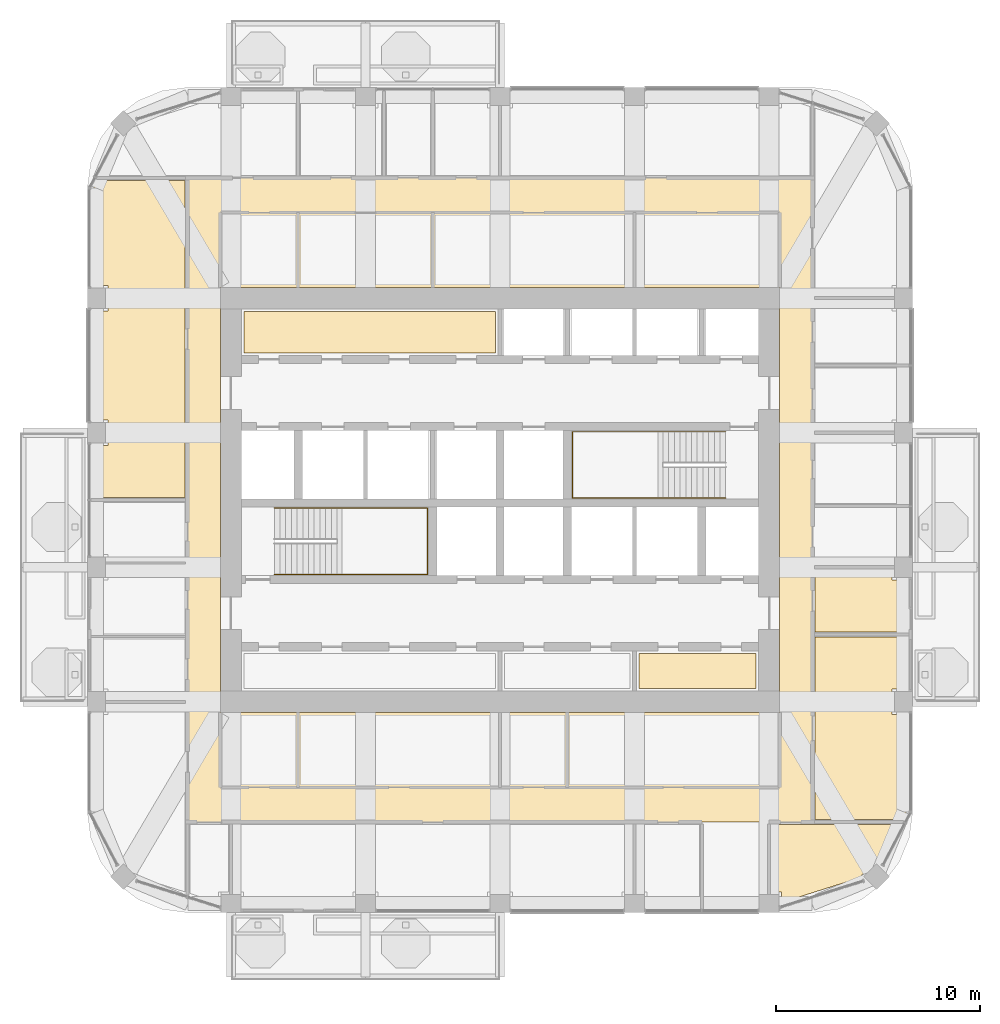
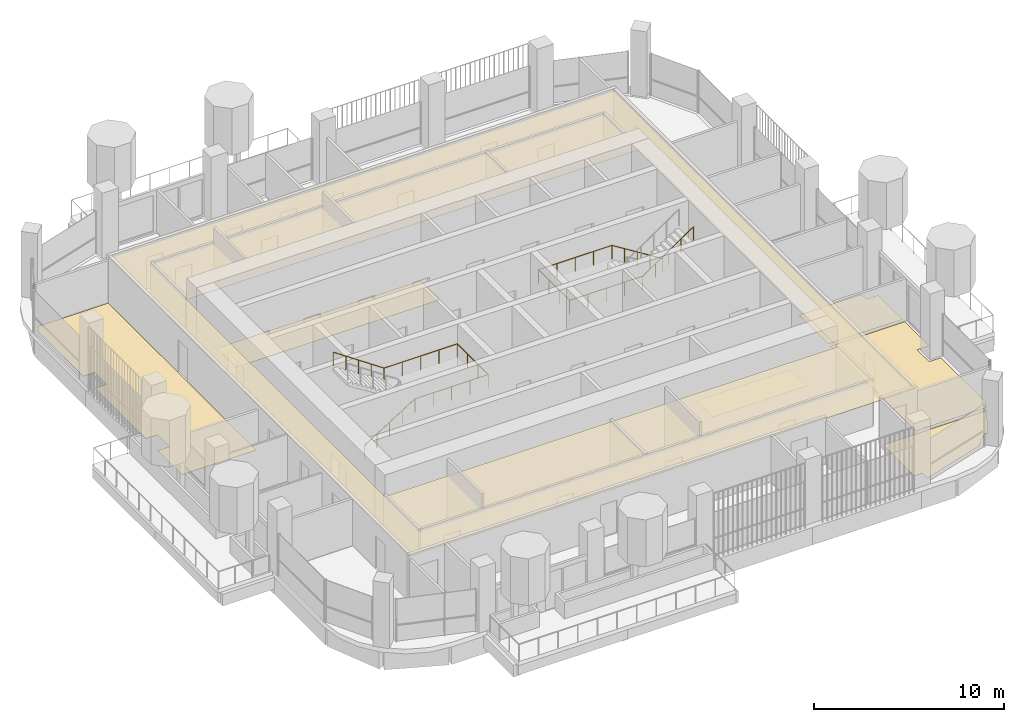
# One storey, part 17 of 20: 7 coverings, 2 railings.
"""IFC4 building model written with IfcOpenShell, lengths in metres."""

from ifc_helpers import new_model, si_unit, direction, frame, origin, place, context, subcontext, project, spatial, polyline, outline, extrude, material, layer, layer_set, type_object, element, save


model = new_model("IFC4")

# Units and contexts
model_context = context("Model", 3, precision=1e-05, world=origin(), true_north=direction((0.0, 1.0)))
body_context = subcontext(model_context, "Body", "Model", "MODEL_VIEW")
ifc_project = project(units=[si_unit("LENGTHUNIT", "METRE"), si_unit("AREAUNIT", "SQUARE_METRE"), si_unit("VOLUMEUNIT", "CUBIC_METRE"), si_unit("PLANEANGLEUNIT", "RADIAN"), si_unit("MASSUNIT", "GRAM", prefix="KILO")], contexts=[model_context])

# Site, building, storey
site_placement = place(None, origin())
site = spatial("IfcSite", under=ifc_project, at=site_placement, CompositionType="ELEMENT")
building_placement = place(site_placement, origin())
building = spatial("IfcBuilding", under=site, at=building_placement, Name="Cobogo Forest Laboratory Tower", CompositionType="ELEMENT")
storey_placement = place(building_placement, frame((0.0, 0.0, 279.60009765625)))
storey = spatial("IfcBuildingStorey", under=building, at=storey_placement, Name="L64", CompositionType="ELEMENT", Elevation=279.60009765625)

# Coverings
ifc_material_1 = material(Name="Mineral fibre ceiling tile", Category="ceiling")
ifc_layer_1 = layer(ifc_material_1, 0.02001953125)
ifc_layer_set_1 = layer_set([ifc_layer_1], Name="CL1 suspended ceiling")
covering_type_1 = type_object("IfcCoveringType", Name="CL1 suspended ceiling", PredefinedType="CEILING", material=ifc_layer_set_1)
covering_1_placement = place(storey_placement, frame((0.0, 0.0, 2.7998046875)))
element("IfcCovering", 1, at=covering_1_placement, inside=storey, type_object=covering_type_1, Name="Corridor ceiling L64", PredefinedType="CEILING", context=body_context, shape_type="SweptSolid", body=[
    extrude(outline(polyline([(11.074951171875, 7.300048828125), (11.074951171875, 38.89990234375), (41.72509765625, 38.89990234375), (41.72509765625, 7.300048828125), (11.074951171875, 7.300048828125)]), holes=[polyline([(40.125, 33.52490234375), (12.675048828125, 33.52490234375), (12.675048828125, 12.675048828125), (40.125, 12.675048828125), (40.125, 33.52490234375)])]), origin(), (0.0, 0.0, 1.0), 0.02001953125),
])
ifc_material_2 = material(Name="Carpet tile on raised access floor", Category="flooring")
ifc_layer_2 = layer(ifc_material_2, 0.008056640625)
ifc_layer_set_2 = layer_set([ifc_layer_2], Name="CT1 carpet tile floor 8")
covering_type_2 = type_object("IfcCoveringType", Name="CT1 carpet tile floor 8", PredefinedType="FLOORING", material=ifc_layer_set_2)
covering_2_placement = place(storey_placement, origin())
element("IfcCovering", 2, at=covering_2_placement, inside=storey, type_object=covering_type_2, Name="Carpet floor L64-12", PredefinedType="FLOORING", context=body_context, shape_type="SweptSolid", body=[
    extrude(outline(polyline([(44.10986328125, 4.583984375), (40.219970703125, 3.35546875), (40.219970703125, 3.8701171875), (39.719970703125, 3.8701171875), (39.719970703125, 7.179931640625), (45.999267578125, 7.179931640625), (45.010986328125, 5.294921875), (44.882080078125, 5.424072265625), (44.075927734375, 4.617919921875), (44.10986328125, 4.583984375)])), origin(), (0.0, 0.0, 1.0), 0.0078125),
])
covering_3_placement = place(storey_placement, origin())
element("IfcCovering", 3, at=covering_3_placement, inside=storey, type_object=covering_type_2, Name="Carpet floor L64-14", PredefinedType="FLOORING", context=body_context, shape_type="SweptSolid", body=[
    extrude(outline(polyline([(41.844970703125, 19.679931640625), (45.6298828125, 19.679931640625), (45.6298828125, 19.179931640625), (46.35009765625, 19.179931640625), (46.35009765625, 16.6201171875), (41.844970703125, 16.6201171875), (41.844970703125, 19.679931640625)])), origin(), (0.0, 0.0, 1.0), 0.0078125),
])
covering_4_placement = place(storey_placement, origin())
element("IfcCovering", 4, at=covering_4_placement, inside=storey, type_object=covering_type_2, Name="Carpet floor L64-29", PredefinedType="FLOORING", context=body_context, shape_type="SweptSolid", body=[
    extrude(outline(polyline([(10.955078125, 23.219970703125), (6.449951171875, 23.219970703125), (6.449951171875, 25.780029296875), (7.169921875, 25.780029296875), (7.169921875, 27.02001953125), (6.449951171875, 27.02001953125), (6.449951171875, 32.3798828125), (7.169921875, 32.3798828125), (7.169921875, 33.6201171875), (6.449951171875, 33.6201171875), (6.449951171875, 38.350830078125), (6.675048828125, 38.780029296875), (10.955078125, 38.780029296875), (10.955078125, 23.219970703125)])), origin(), (0.0, 0.0, 1.0), 0.0078125),
])
covering_5_placement = place(storey_placement, origin())
element("IfcCovering", 5, at=covering_5_placement, inside=storey, type_object=covering_type_2, Name="Carpet floor L64-39", PredefinedType="FLOORING", context=body_context, shape_type="SweptSolid", body=[
    extrude(outline(polyline([(38.955078125, 13.844970703125), (33.219970703125, 13.844970703125), (33.219970703125, 15.580078125), (38.955078125, 15.580078125), (38.955078125, 13.844970703125)])), origin(), (0.0, 0.0, 1.0), 0.0078125),
])
covering_6_placement = place(storey_placement, origin())
element("IfcCovering", 6, at=covering_6_placement, inside=storey, type_object=covering_type_2, Name="Carpet floor L64-40", PredefinedType="FLOORING", context=body_context, shape_type="SweptSolid", body=[
    extrude(outline(polyline([(26.179931640625, 30.320068359375), (13.844970703125, 30.320068359375), (13.844970703125, 32.35498046875), (26.179931640625, 32.35498046875), (26.179931640625, 30.320068359375)])), origin(), (0.0, 0.0, 1.0), 0.0078125),
])

# Railings
ifc_material_3 = material(Name="Stainless steel handrail", Category="steel")
railing_type = type_object("IfcRailingType", Name="HR handrail 900", PredefinedType="HANDRAIL", material=ifc_material_3)
railing_1_placement = place(storey_placement, frame((15.324951171875, 19.449951171875, 0.1748046875)))
element("IfcRailing", 7, at=railing_1_placement, inside=storey, type_object=railing_type, Name="Stair handrail ST1 L64", PredefinedType="HANDRAIL", context=body_context, shape_type="SweptSolid", body=[
    extrude(outline(polyline([(0.022216796875, 0.00927734375), (0.00927734375, 0.022216796875), (-0.00927734375, 0.022216796875), (-0.022216796875, 0.00927734375), (-0.022216796875, -0.00927734375), (-0.00927734375, -0.022216796875), (0.00927734375, -0.022216796875), (0.022216796875, -0.00927734375), (0.022216796875, 0.00927734375)])), frame((0.0, 0.0, 0.877685546875), z_axis=(0.847998304005, 0.0, 0.529998940003), x_axis=(0.0, 1.0, 0.0)), (0.0, 0.0, 1.0), 3.632080078125),
    extrude(outline(polyline([(0.022216796875, 0.00927734375), (0.00927734375, 0.022216796875), (-0.00927734375, 0.022216796875), (-0.022216796875, 0.00927734375), (-0.022216796875, -0.00927734375), (-0.00927734375, -0.022216796875), (0.00927734375, -0.022216796875), (0.022216796875, -0.00927734375), (0.022216796875, 0.00927734375)])), frame((3.080078125, 0.0, 2.802734375), z_axis=(1.0, 0.0, 0.0), x_axis=(0.0, 1.0, 0.0)), (0.0, 0.0, 1.0), 4.445068359375),
    extrude(outline(polyline([(0.022216796875, 0.00927734375), (0.00927734375, 0.022216796875), (-0.00927734375, 0.022216796875), (-0.022216796875, 0.00927734375), (-0.022216796875, -0.00927734375), (-0.00927734375, -0.022216796875), (0.00927734375, -0.022216796875), (0.022216796875, -0.00927734375), (0.022216796875, 0.00927734375)])), frame((7.525146484375, 0.0, 2.802734375), z_axis=(0.0, 1.0, 0.0), x_axis=(-1.0, 0.0, 0.0)), (0.0, 0.0, 1.0), 3.25),
    extrude(outline(polyline([(0.022216796875, 0.00927734375), (0.00927734375, 0.022216796875), (-0.00927734375, 0.022216796875), (-0.022216796875, 0.00927734375), (-0.022216796875, -0.00927734375), (-0.00927734375, -0.022216796875), (0.00927734375, -0.022216796875), (0.022216796875, -0.00927734375), (0.022216796875, 0.00927734375)])), frame((7.525146484375, 3.25, 2.802734375), z_axis=(-1.0, 0.0, 0.0), x_axis=(0.0, -1.0, 0.0)), (0.0, 0.0, 1.0), 4.445068359375),
    extrude(outline(polyline([(0.022216796875, 0.00927734375), (0.00927734375, 0.022216796875), (-0.00927734375, 0.022216796875), (-0.022216796875, 0.00927734375), (-0.022216796875, -0.00927734375), (-0.00927734375, -0.022216796875), (0.00927734375, -0.022216796875), (0.022216796875, -0.00927734375), (0.022216796875, 0.00927734375)])), frame((3.080078125, 3.25, 2.802734375), z_axis=(-0.826221800596, 0.0, 0.563344953133), x_axis=(0.0, -1.0, 0.0)), (0.0, 0.0, 1.0), 3.72802734375),
    extrude(outline(polyline([(0.019287109375, 0.008056640625), (0.008056640625, 0.019287109375), (-0.008056640625, 0.019287109375), (-0.019287109375, 0.008056640625), (-0.019287109375, -0.008056640625), (-0.008056640625, -0.019287109375), (0.008056640625, -0.019287109375), (0.019287109375, -0.008056640625), (0.019287109375, 0.008056640625)])), origin(), (0.0, 0.0, 1.0), 0.877685546875),
    extrude(outline(polyline([(0.019287109375, 0.008056640625), (0.008056640625, 0.019287109375), (-0.008056640625, 0.019287109375), (-0.019287109375, 0.008056640625), (-0.019287109375, -0.008056640625), (-0.008056640625, -0.019287109375), (0.008056640625, -0.019287109375), (0.019287109375, -0.008056640625), (0.019287109375, 0.008056640625)])), frame((0.77001953125, 0.0, 0.481201171875)), (0.0, 0.0, 1.0), 0.877685546875),
    extrude(outline(polyline([(0.019287109375, 0.008056640625), (0.008056640625, 0.019287109375), (-0.008056640625, 0.019287109375), (-0.019287109375, 0.008056640625), (-0.019287109375, -0.008056640625), (-0.008056640625, -0.019287109375), (0.008056640625, -0.019287109375), (0.019287109375, -0.008056640625), (0.019287109375, 0.008056640625)])), frame((1.5400390625, 0.0, 0.96240234375)), (0.0, 0.0, 1.0), 0.877685546875),
    extrude(outline(polyline([(0.019287109375, 0.008056640625), (0.008056640625, 0.019287109375), (-0.008056640625, 0.019287109375), (-0.019287109375, 0.008056640625), (-0.019287109375, -0.008056640625), (-0.008056640625, -0.019287109375), (0.008056640625, -0.019287109375), (0.019287109375, -0.008056640625), (0.019287109375, 0.008056640625)])), frame((2.31005859375, 0.0, 1.44384765625)), (0.0, 0.0, 1.0), 0.877685546875),
    extrude(outline(polyline([(0.019287109375, 0.008056640625), (0.008056640625, 0.019287109375), (-0.008056640625, 0.019287109375), (-0.019287109375, 0.008056640625), (-0.019287109375, -0.008056640625), (-0.008056640625, -0.019287109375), (0.008056640625, -0.019287109375), (0.019287109375, -0.008056640625), (0.019287109375, 0.008056640625)])), frame((3.080078125, 0.0, 1.925048828125)), (0.0, 0.0, 1.0), 0.877685546875),
    extrude(outline(polyline([(0.019287109375, 0.008056640625), (0.008056640625, 0.019287109375), (-0.008056640625, 0.019287109375), (-0.019287109375, 0.008056640625), (-0.019287109375, -0.008056640625), (-0.008056640625, -0.019287109375), (0.008056640625, -0.019287109375), (0.019287109375, -0.008056640625), (0.019287109375, 0.008056640625)])), frame((4.19140625, 0.0, 1.925048828125)), (0.0, 0.0, 1.0), 0.877685546875),
    extrude(outline(polyline([(0.019287109375, 0.008056640625), (0.008056640625, 0.019287109375), (-0.008056640625, 0.019287109375), (-0.019287109375, 0.008056640625), (-0.019287109375, -0.008056640625), (-0.008056640625, -0.019287109375), (0.008056640625, -0.019287109375), (0.019287109375, -0.008056640625), (0.019287109375, 0.008056640625)])), frame((5.302734375, 0.0, 1.925048828125)), (0.0, 0.0, 1.0), 0.877685546875),
    extrude(outline(polyline([(0.019287109375, 0.008056640625), (0.008056640625, 0.019287109375), (-0.008056640625, 0.019287109375), (-0.019287109375, 0.008056640625), (-0.019287109375, -0.008056640625), (-0.008056640625, -0.019287109375), (0.008056640625, -0.019287109375), (0.019287109375, -0.008056640625), (0.019287109375, 0.008056640625)])), frame((6.413818359375, 0.0, 1.925048828125)), (0.0, 0.0, 1.0), 0.877685546875),
    extrude(outline(polyline([(0.019287109375, 0.008056640625), (0.008056640625, 0.019287109375), (-0.008056640625, 0.019287109375), (-0.019287109375, 0.008056640625), (-0.019287109375, -0.008056640625), (-0.008056640625, -0.019287109375), (0.008056640625, -0.019287109375), (0.019287109375, -0.008056640625), (0.019287109375, 0.008056640625)])), frame((7.525146484375, 0.0, 1.925048828125)), (0.0, 0.0, 1.0), 0.877685546875),
    extrude(outline(polyline([(0.019287109375, 0.008056640625), (0.008056640625, 0.019287109375), (-0.008056640625, 0.019287109375), (-0.019287109375, 0.008056640625), (-0.019287109375, -0.008056640625), (-0.008056640625, -0.019287109375), (0.008056640625, -0.019287109375), (0.019287109375, -0.008056640625), (0.019287109375, 0.008056640625)])), frame((7.525146484375, 1.083251953125, 1.925048828125)), (0.0, 0.0, 1.0), 0.877685546875),
    extrude(outline(polyline([(0.019287109375, 0.008056640625), (0.008056640625, 0.019287109375), (-0.008056640625, 0.019287109375), (-0.019287109375, 0.008056640625), (-0.019287109375, -0.008056640625), (-0.008056640625, -0.019287109375), (0.008056640625, -0.019287109375), (0.019287109375, -0.008056640625), (0.019287109375, 0.008056640625)])), frame((7.525146484375, 2.166748046875, 1.925048828125)), (0.0, 0.0, 1.0), 0.877685546875),
    extrude(outline(polyline([(0.019287109375, 0.008056640625), (0.008056640625, 0.019287109375), (-0.008056640625, 0.019287109375), (-0.019287109375, 0.008056640625), (-0.019287109375, -0.008056640625), (-0.008056640625, -0.019287109375), (0.008056640625, -0.019287109375), (0.019287109375, -0.008056640625), (0.019287109375, 0.008056640625)])), frame((7.525146484375, 3.25, 1.925048828125)), (0.0, 0.0, 1.0), 0.877685546875),
    extrude(outline(polyline([(0.019287109375, 0.008056640625), (0.008056640625, 0.019287109375), (-0.008056640625, 0.019287109375), (-0.019287109375, 0.008056640625), (-0.019287109375, -0.008056640625), (-0.008056640625, -0.019287109375), (0.008056640625, -0.019287109375), (0.019287109375, -0.008056640625), (0.019287109375, 0.008056640625)])), frame((6.413818359375, 3.25, 1.925048828125)), (0.0, 0.0, 1.0), 0.877685546875),
    extrude(outline(polyline([(0.019287109375, 0.008056640625), (0.008056640625, 0.019287109375), (-0.008056640625, 0.019287109375), (-0.019287109375, 0.008056640625), (-0.019287109375, -0.008056640625), (-0.008056640625, -0.019287109375), (0.008056640625, -0.019287109375), (0.019287109375, -0.008056640625), (0.019287109375, 0.008056640625)])), frame((5.302734375, 3.25, 1.925048828125)), (0.0, 0.0, 1.0), 0.877685546875),
    extrude(outline(polyline([(0.019287109375, 0.008056640625), (0.008056640625, 0.019287109375), (-0.008056640625, 0.019287109375), (-0.019287109375, 0.008056640625), (-0.019287109375, -0.008056640625), (-0.008056640625, -0.019287109375), (0.008056640625, -0.019287109375), (0.019287109375, -0.008056640625), (0.019287109375, 0.008056640625)])), frame((4.19140625, 3.25, 1.925048828125)), (0.0, 0.0, 1.0), 0.877685546875),
    extrude(outline(polyline([(0.019287109375, 0.008056640625), (0.008056640625, 0.019287109375), (-0.008056640625, 0.019287109375), (-0.019287109375, 0.008056640625), (-0.019287109375, -0.008056640625), (-0.008056640625, -0.019287109375), (0.008056640625, -0.019287109375), (0.019287109375, -0.008056640625), (0.019287109375, 0.008056640625)])), frame((3.080078125, 3.25, 1.925048828125)), (0.0, 0.0, 1.0), 0.877685546875),
    extrude(outline(polyline([(0.019287109375, 0.008056640625), (0.008056640625, 0.019287109375), (-0.008056640625, 0.019287109375), (-0.019287109375, 0.008056640625), (-0.019287109375, -0.008056640625), (-0.008056640625, -0.019287109375), (0.008056640625, -0.019287109375), (0.019287109375, -0.008056640625), (0.019287109375, 0.008056640625)])), frame((2.31005859375, 3.25, 2.4501953125)), (0.0, 0.0, 1.0), 0.877685546875),
    extrude(outline(polyline([(0.019287109375, 0.008056640625), (0.008056640625, 0.019287109375), (-0.008056640625, 0.019287109375), (-0.019287109375, 0.008056640625), (-0.019287109375, -0.008056640625), (-0.008056640625, -0.019287109375), (0.008056640625, -0.019287109375), (0.019287109375, -0.008056640625), (0.019287109375, 0.008056640625)])), frame((1.5400390625, 3.25, 2.97509765625)), (0.0, 0.0, 1.0), 0.877685546875),
    extrude(outline(polyline([(0.019287109375, 0.008056640625), (0.008056640625, 0.019287109375), (-0.008056640625, 0.019287109375), (-0.019287109375, 0.008056640625), (-0.019287109375, -0.008056640625), (-0.008056640625, -0.019287109375), (0.008056640625, -0.019287109375), (0.019287109375, -0.008056640625), (0.019287109375, 0.008056640625)])), frame((0.77001953125, 3.25, 3.5)), (0.0, 0.0, 1.0), 0.877685546875),
    extrude(outline(polyline([(0.019287109375, 0.008056640625), (0.008056640625, 0.019287109375), (-0.008056640625, 0.019287109375), (-0.019287109375, 0.008056640625), (-0.019287109375, -0.008056640625), (-0.008056640625, -0.019287109375), (0.008056640625, -0.019287109375), (0.019287109375, -0.008056640625), (0.019287109375, 0.008056640625)])), frame((0.0, 3.25, 4.025146484375)), (0.0, 0.0, 1.0), 0.877685546875),
])
railing_2_placement = place(storey_placement, frame((37.47509765625, 26.449951171875, 0.1748046875)))
element("IfcRailing", 8, at=railing_2_placement, inside=storey, type_object=railing_type, Name="Stair handrail ST2 L64", PredefinedType="HANDRAIL", context=body_context, shape_type="SweptSolid", body=[
    extrude(outline(polyline([(0.022216796875, 0.00927734375), (0.00927734375, 0.022216796875), (-0.00927734375, 0.022216796875), (-0.022216796875, 0.00927734375), (-0.022216796875, -0.00927734375), (-0.00927734375, -0.022216796875), (0.00927734375, -0.022216796875), (0.022216796875, -0.00927734375), (0.022216796875, 0.00927734375)])), frame((0.0, 0.0, 0.877685546875), z_axis=(-0.847998304005, 0.0, 0.529998940003), x_axis=(0.0, -1.0, 0.0)), (0.0, 0.0, 1.0), 3.632080078125),
    extrude(outline(polyline([(0.022216796875, 0.00927734375), (0.00927734375, 0.022216796875), (-0.00927734375, 0.022216796875), (-0.022216796875, 0.00927734375), (-0.022216796875, -0.00927734375), (-0.00927734375, -0.022216796875), (0.00927734375, -0.022216796875), (0.022216796875, -0.00927734375), (0.022216796875, 0.00927734375)])), frame((-3.080078125, 0.0, 2.802734375), z_axis=(-1.0, 0.0, 0.0), x_axis=(0.0, -1.0, 0.0)), (0.0, 0.0, 1.0), 4.445068359375),
    extrude(outline(polyline([(0.022216796875, 0.00927734375), (0.00927734375, 0.022216796875), (-0.00927734375, 0.022216796875), (-0.022216796875, 0.00927734375), (-0.022216796875, -0.00927734375), (-0.00927734375, -0.022216796875), (0.00927734375, -0.022216796875), (0.022216796875, -0.00927734375), (0.022216796875, 0.00927734375)])), frame((-7.525146484375, 0.0, 2.802734375), z_axis=(0.0, -1.0, 0.0), x_axis=(1.0, 0.0, 0.0)), (0.0, 0.0, 1.0), 3.25),
    extrude(outline(polyline([(0.022216796875, 0.00927734375), (0.00927734375, 0.022216796875), (-0.00927734375, 0.022216796875), (-0.022216796875, 0.00927734375), (-0.022216796875, -0.00927734375), (-0.00927734375, -0.022216796875), (0.00927734375, -0.022216796875), (0.022216796875, -0.00927734375), (0.022216796875, 0.00927734375)])), frame((-7.525146484375, -3.25, 2.802734375), z_axis=(1.0, 0.0, 0.0), x_axis=(0.0, 1.0, 0.0)), (0.0, 0.0, 1.0), 4.445068359375),
    extrude(outline(polyline([(0.022216796875, 0.00927734375), (0.00927734375, 0.022216796875), (-0.00927734375, 0.022216796875), (-0.022216796875, 0.00927734375), (-0.022216796875, -0.00927734375), (-0.00927734375, -0.022216796875), (0.00927734375, -0.022216796875), (0.022216796875, -0.00927734375), (0.022216796875, 0.00927734375)])), frame((-3.080078125, -3.25, 2.802734375), z_axis=(0.826221800596, 0.0, 0.563344953133), x_axis=(0.0, 1.0, 0.0)), (0.0, 0.0, 1.0), 3.72802734375),
    extrude(outline(polyline([(0.019287109375, 0.008056640625), (0.008056640625, 0.019287109375), (-0.008056640625, 0.019287109375), (-0.019287109375, 0.008056640625), (-0.019287109375, -0.008056640625), (-0.008056640625, -0.019287109375), (0.008056640625, -0.019287109375), (0.019287109375, -0.008056640625), (0.019287109375, 0.008056640625)])), origin(), (0.0, 0.0, 1.0), 0.877685546875),
    extrude(outline(polyline([(0.019287109375, 0.008056640625), (0.008056640625, 0.019287109375), (-0.008056640625, 0.019287109375), (-0.019287109375, 0.008056640625), (-0.019287109375, -0.008056640625), (-0.008056640625, -0.019287109375), (0.008056640625, -0.019287109375), (0.019287109375, -0.008056640625), (0.019287109375, 0.008056640625)])), frame((-0.77001953125, 0.0, 0.481201171875)), (0.0, 0.0, 1.0), 0.877685546875),
    extrude(outline(polyline([(0.019287109375, 0.008056640625), (0.008056640625, 0.019287109375), (-0.008056640625, 0.019287109375), (-0.019287109375, 0.008056640625), (-0.019287109375, -0.008056640625), (-0.008056640625, -0.019287109375), (0.008056640625, -0.019287109375), (0.019287109375, -0.008056640625), (0.019287109375, 0.008056640625)])), frame((-1.5400390625, 0.0, 0.96240234375)), (0.0, 0.0, 1.0), 0.877685546875),
    extrude(outline(polyline([(0.019287109375, 0.008056640625), (0.008056640625, 0.019287109375), (-0.008056640625, 0.019287109375), (-0.019287109375, 0.008056640625), (-0.019287109375, -0.008056640625), (-0.008056640625, -0.019287109375), (0.008056640625, -0.019287109375), (0.019287109375, -0.008056640625), (0.019287109375, 0.008056640625)])), frame((-2.31005859375, 0.0, 1.44384765625)), (0.0, 0.0, 1.0), 0.877685546875),
    extrude(outline(polyline([(0.019287109375, 0.008056640625), (0.008056640625, 0.019287109375), (-0.008056640625, 0.019287109375), (-0.019287109375, 0.008056640625), (-0.019287109375, -0.008056640625), (-0.008056640625, -0.019287109375), (0.008056640625, -0.019287109375), (0.019287109375, -0.008056640625), (0.019287109375, 0.008056640625)])), frame((-3.080078125, 0.0, 1.925048828125)), (0.0, 0.0, 1.0), 0.877685546875),
    extrude(outline(polyline([(0.019287109375, 0.008056640625), (0.008056640625, 0.019287109375), (-0.008056640625, 0.019287109375), (-0.019287109375, 0.008056640625), (-0.019287109375, -0.008056640625), (-0.008056640625, -0.019287109375), (0.008056640625, -0.019287109375), (0.019287109375, -0.008056640625), (0.019287109375, 0.008056640625)])), frame((-4.19140625, 0.0, 1.925048828125)), (0.0, 0.0, 1.0), 0.877685546875),
    extrude(outline(polyline([(0.019287109375, 0.008056640625), (0.008056640625, 0.019287109375), (-0.008056640625, 0.019287109375), (-0.019287109375, 0.008056640625), (-0.019287109375, -0.008056640625), (-0.008056640625, -0.019287109375), (0.008056640625, -0.019287109375), (0.019287109375, -0.008056640625), (0.019287109375, 0.008056640625)])), frame((-5.302734375, 0.0, 1.925048828125)), (0.0, 0.0, 1.0), 0.877685546875),
    extrude(outline(polyline([(0.019287109375, 0.008056640625), (0.008056640625, 0.019287109375), (-0.008056640625, 0.019287109375), (-0.019287109375, 0.008056640625), (-0.019287109375, -0.008056640625), (-0.008056640625, -0.019287109375), (0.008056640625, -0.019287109375), (0.019287109375, -0.008056640625), (0.019287109375, 0.008056640625)])), frame((-6.413818359375, 0.0, 1.925048828125)), (0.0, 0.0, 1.0), 0.877685546875),
    extrude(outline(polyline([(0.019287109375, 0.008056640625), (0.008056640625, 0.019287109375), (-0.008056640625, 0.019287109375), (-0.019287109375, 0.008056640625), (-0.019287109375, -0.008056640625), (-0.008056640625, -0.019287109375), (0.008056640625, -0.019287109375), (0.019287109375, -0.008056640625), (0.019287109375, 0.008056640625)])), frame((-7.525146484375, 0.0, 1.925048828125)), (0.0, 0.0, 1.0), 0.877685546875),
    extrude(outline(polyline([(0.019287109375, 0.008056640625), (0.008056640625, 0.019287109375), (-0.008056640625, 0.019287109375), (-0.019287109375, 0.008056640625), (-0.019287109375, -0.008056640625), (-0.008056640625, -0.019287109375), (0.008056640625, -0.019287109375), (0.019287109375, -0.008056640625), (0.019287109375, 0.008056640625)])), frame((-7.525146484375, -1.083251953125, 1.925048828125)), (0.0, 0.0, 1.0), 0.877685546875),
    extrude(outline(polyline([(0.019287109375, 0.008056640625), (0.008056640625, 0.019287109375), (-0.008056640625, 0.019287109375), (-0.019287109375, 0.008056640625), (-0.019287109375, -0.008056640625), (-0.008056640625, -0.019287109375), (0.008056640625, -0.019287109375), (0.019287109375, -0.008056640625), (0.019287109375, 0.008056640625)])), frame((-7.525146484375, -2.166748046875, 1.925048828125)), (0.0, 0.0, 1.0), 0.877685546875),
    extrude(outline(polyline([(0.019287109375, 0.008056640625), (0.008056640625, 0.019287109375), (-0.008056640625, 0.019287109375), (-0.019287109375, 0.008056640625), (-0.019287109375, -0.008056640625), (-0.008056640625, -0.019287109375), (0.008056640625, -0.019287109375), (0.019287109375, -0.008056640625), (0.019287109375, 0.008056640625)])), frame((-7.525146484375, -3.25, 1.925048828125)), (0.0, 0.0, 1.0), 0.877685546875),
    extrude(outline(polyline([(0.019287109375, 0.008056640625), (0.008056640625, 0.019287109375), (-0.008056640625, 0.019287109375), (-0.019287109375, 0.008056640625), (-0.019287109375, -0.008056640625), (-0.008056640625, -0.019287109375), (0.008056640625, -0.019287109375), (0.019287109375, -0.008056640625), (0.019287109375, 0.008056640625)])), frame((-6.413818359375, -3.25, 1.925048828125)), (0.0, 0.0, 1.0), 0.877685546875),
    extrude(outline(polyline([(0.019287109375, 0.008056640625), (0.008056640625, 0.019287109375), (-0.008056640625, 0.019287109375), (-0.019287109375, 0.008056640625), (-0.019287109375, -0.008056640625), (-0.008056640625, -0.019287109375), (0.008056640625, -0.019287109375), (0.019287109375, -0.008056640625), (0.019287109375, 0.008056640625)])), frame((-5.302734375, -3.25, 1.925048828125)), (0.0, 0.0, 1.0), 0.877685546875),
    extrude(outline(polyline([(0.019287109375, 0.008056640625), (0.008056640625, 0.019287109375), (-0.008056640625, 0.019287109375), (-0.019287109375, 0.008056640625), (-0.019287109375, -0.008056640625), (-0.008056640625, -0.019287109375), (0.008056640625, -0.019287109375), (0.019287109375, -0.008056640625), (0.019287109375, 0.008056640625)])), frame((-4.19140625, -3.25, 1.925048828125)), (0.0, 0.0, 1.0), 0.877685546875),
    extrude(outline(polyline([(0.019287109375, 0.008056640625), (0.008056640625, 0.019287109375), (-0.008056640625, 0.019287109375), (-0.019287109375, 0.008056640625), (-0.019287109375, -0.008056640625), (-0.008056640625, -0.019287109375), (0.008056640625, -0.019287109375), (0.019287109375, -0.008056640625), (0.019287109375, 0.008056640625)])), frame((-3.080078125, -3.25, 1.925048828125)), (0.0, 0.0, 1.0), 0.877685546875),
    extrude(outline(polyline([(0.019287109375, 0.008056640625), (0.008056640625, 0.019287109375), (-0.008056640625, 0.019287109375), (-0.019287109375, 0.008056640625), (-0.019287109375, -0.008056640625), (-0.008056640625, -0.019287109375), (0.008056640625, -0.019287109375), (0.019287109375, -0.008056640625), (0.019287109375, 0.008056640625)])), frame((-2.31005859375, -3.25, 2.4501953125)), (0.0, 0.0, 1.0), 0.877685546875),
    extrude(outline(polyline([(0.019287109375, 0.008056640625), (0.008056640625, 0.019287109375), (-0.008056640625, 0.019287109375), (-0.019287109375, 0.008056640625), (-0.019287109375, -0.008056640625), (-0.008056640625, -0.019287109375), (0.008056640625, -0.019287109375), (0.019287109375, -0.008056640625), (0.019287109375, 0.008056640625)])), frame((-1.5400390625, -3.25, 2.97509765625)), (0.0, 0.0, 1.0), 0.877685546875),
    extrude(outline(polyline([(0.019287109375, 0.008056640625), (0.008056640625, 0.019287109375), (-0.008056640625, 0.019287109375), (-0.019287109375, 0.008056640625), (-0.019287109375, -0.008056640625), (-0.008056640625, -0.019287109375), (0.008056640625, -0.019287109375), (0.019287109375, -0.008056640625), (0.019287109375, 0.008056640625)])), frame((-0.77001953125, -3.25, 3.5)), (0.0, 0.0, 1.0), 0.877685546875),
    extrude(outline(polyline([(0.019287109375, 0.008056640625), (0.008056640625, 0.019287109375), (-0.008056640625, 0.019287109375), (-0.019287109375, 0.008056640625), (-0.019287109375, -0.008056640625), (-0.008056640625, -0.019287109375), (0.008056640625, -0.019287109375), (0.019287109375, -0.008056640625), (0.019287109375, 0.008056640625)])), frame((0.0, -3.25, 4.025146484375)), (0.0, 0.0, 1.0), 0.877685546875),
])

# Covering
ifc_material_4 = material(Name="Epoxy resin flooring", Category="flooring")
ifc_layer_3 = layer(ifc_material_4, 0.00390625)
ifc_layer_set_3 = layer_set([ifc_layer_3], Name="LF1 epoxy laboratory floor 4")
covering_type_3 = type_object("IfcCoveringType", Name="LF1 epoxy laboratory floor 4", PredefinedType="FLOORING", material=ifc_layer_set_3)
covering_7_placement = place(storey_placement, origin())
element("IfcCovering", 9, at=covering_7_placement, inside=storey, type_object=covering_type_3, Name="Epoxy laboratory floor L64-13", PredefinedType="FLOORING", context=body_context, shape_type="SweptSolid", body=[
    extrude(outline(polyline([(41.844970703125, 16.3798828125), (46.35009765625, 16.3798828125), (46.35009765625, 13.820068359375), (45.6298828125, 13.820068359375), (45.6298828125, 12.580078125), (46.35009765625, 12.580078125), (46.35009765625, 7.84912109375), (46.125, 7.419921875), (41.844970703125, 7.419921875), (41.844970703125, 16.3798828125)])), origin(), (0.0, 0.0, 1.0), 0.00390625),
])

save(model, "model.ifc")
